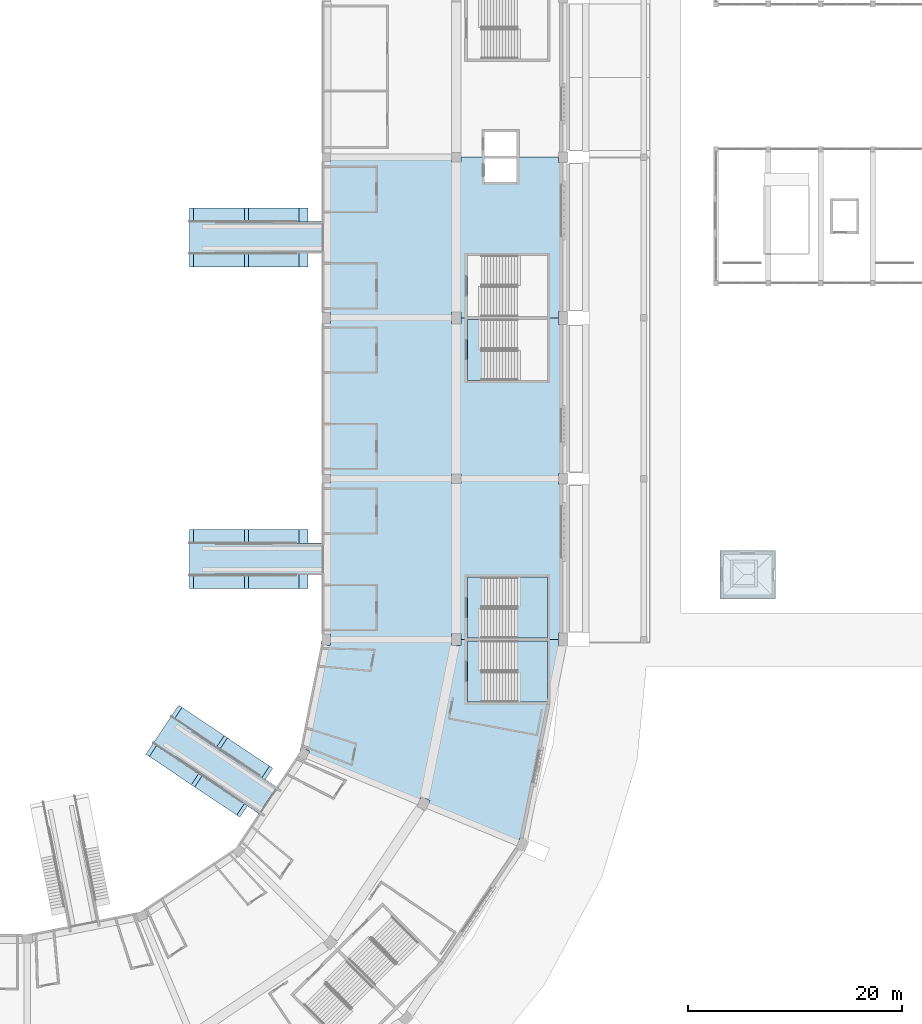
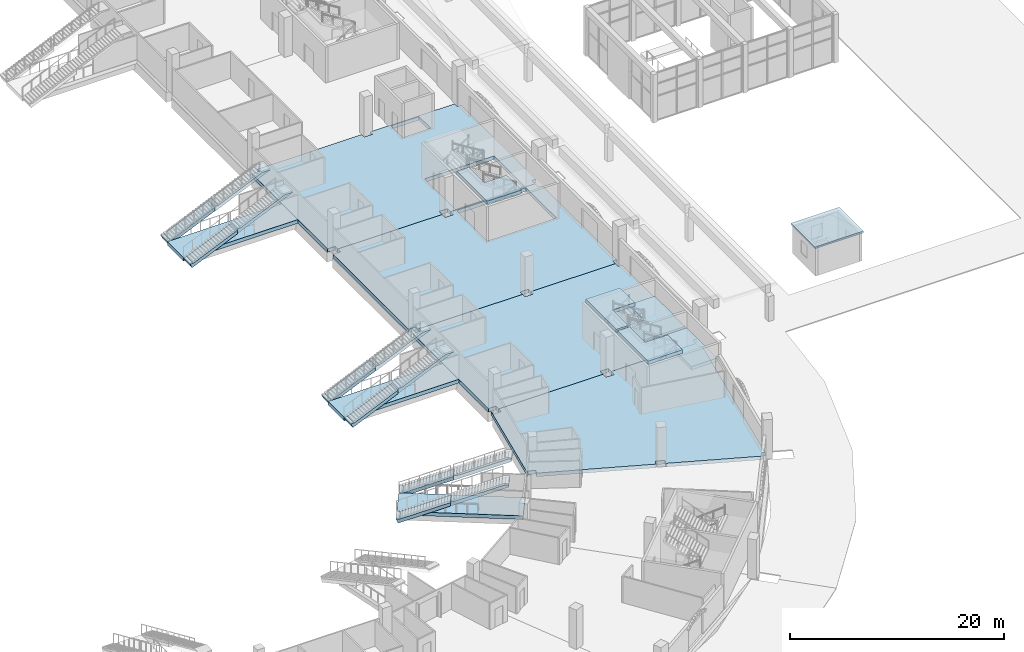
# One storey, part 17 of 175: 25 slabs, 3 elements without a shape of their own.
"""IFC4 building model written with IfcOpenShell, lengths in metres."""

from ifc_helpers import new_model, si_unit, direction, frame, origin, place, context, subcontext, project, spatial, polyline, outline, extrude, material, layer, layer_set, type_object, element, aggregate, save


model = new_model("IFC4")

# Units and contexts
model_context = context("Model", 3, precision=1e-05, world=origin(), true_north=direction((0.0, 1.0)))
body_context = subcontext(model_context, "Body", "Model", "MODEL_VIEW")
ifc_project = project(units=[si_unit("LENGTHUNIT", "METRE"), si_unit("AREAUNIT", "SQUARE_METRE"), si_unit("VOLUMEUNIT", "CUBIC_METRE"), si_unit("PLANEANGLEUNIT", "RADIAN"), si_unit("MASSUNIT", "GRAM", prefix="KILO")], contexts=[model_context])

# Site, building, storey
site_placement = place(None, origin())
site = spatial("IfcSite", under=ifc_project, at=site_placement, CompositionType="ELEMENT")
building_placement = place(site_placement, origin())
building = spatial("IfcBuilding", under=site, at=building_placement, Name="Ogive Plaza Stadium", CompositionType="ELEMENT")
storey_placement = place(building_placement, origin())
storey = spatial("IfcBuildingStorey", under=building, at=storey_placement, Name="L00", CompositionType="ELEMENT", Elevation=0.0)

# Slabs
ifc_material_1 = material(Name="Concrete C40/50", Category="concrete")
ifc_layer_1 = layer(ifc_material_1, 0.52587890625)
ifc_layer_set_1 = layer_set([ifc_layer_1], Name="Concrete C40/50")
ifc_layer_2 = layer(ifc_material_1, 0.449951171875)
ifc_layer_set_2 = layer_set([ifc_layer_2], Name="Concrete C40/50")
slab_type_1 = type_object("IfcSlabType", Name="Aisle stair slab 1300", PredefinedType="USERDEFINED", material=ifc_layer_set_2)
slab_1_placement = place(storey_placement, frame((49.14990234375, -17.125244140625, 0.0), z_axis=(0.0, 0.0, 1.0), x_axis=(1.0, 0.0, 0.0)))
element("IfcSlab", 1, at=slab_1_placement, inside=storey, type_object=slab_type_1, material=ifc_layer_set_1, Name="Aisle stair SA05L slab 1", ObjectType="AISLE STAIR SLAB", PredefinedType="USERDEFINED", context=body_context, shape_type="SweptSolid", body=[
    extrude(outline(polyline([(0.0, 0.0), (0.37158203125, 0.0), (5.10009765625, 2.086181640625), (5.10009765625, 1.675048828125), (5.01220703125, 1.63623046875), (4.8623046875, 1.570068359375), (4.71240234375, 1.50390625), (4.562255859375, 1.437744140625), (4.412353515625, 1.37158203125), (4.26220703125, 1.305419921875), (4.1123046875, 1.2392578125), (3.96240234375, 1.173095703125), (3.812255859375, 1.10693359375), (3.662353515625, 1.040771484375), (3.51220703125, 0.974609375), (3.3623046875, 0.908447265625), (3.21240234375, 0.84228515625), (3.062255859375, 0.77587890625), (2.912353515625, 0.709716796875), (2.76220703125, 0.643798828125), (2.6123046875, 0.577392578125), (2.46240234375, 0.51123046875), (2.312255859375, 0.445068359375), (2.162353515625, 0.37890625), (2.01220703125, 0.312744140625), (1.8623046875, 0.24658203125), (1.71240234375, 0.180419921875), (1.562255859375, 0.1142578125), (1.412353515625, 0.048095703125), (1.26220703125, -0.01806640625), (1.1123046875, -0.084228515625), (0.96240234375, -0.150390625), (0.812255859375, -0.216552734375), (0.662353515625, -0.28271484375), (0.51220703125, -0.34912109375), (0.3623046875, -0.415283203125), (0.21240234375, -0.481201171875), (0.0, 0.0)])), frame((0.0, 0.624755859375, 0.0), z_axis=(0.0, -1.0, 0.0), x_axis=(1.0, 0.0, 0.0)), (0.0, 0.0, 1.0), 1.24951171875),
])
ifc_layer_3 = layer(ifc_material_1, 0.82373046875)
ifc_layer_set_3 = layer_set([ifc_layer_3], Name="Concrete C40/50")
slab_2_placement = place(storey_placement, frame((54.25, -17.10009765625, 0.0), z_axis=(0.0, 0.0, 1.0), x_axis=(1.0, 0.0, 0.0)))
element("IfcSlab", 2, at=slab_2_placement, inside=storey, type_object=slab_type_1, material=ifc_layer_set_3, Name="Aisle stair SA05L slab 2", ObjectType="AISLE STAIR SLAB", PredefinedType="USERDEFINED", context=body_context, shape_type="SweptSolid", body=[
    extrude(outline(polyline([(0.0, 2.25), (0.37158203125, 2.25), (5.10009765625, 4.336181640625), (5.949951171875, 4.336181640625), (5.949951171875, 4.300048828125), (5.85009765625, 4.255859375), (5.699951171875, 4.189697265625), (5.550048828125, 4.12353515625), (5.39990234375, 4.057373046875), (5.25, 3.9912109375), (5.10009765625, 3.925048828125), (4.949951171875, 3.85888671875), (4.800048828125, 3.79248046875), (4.64990234375, 3.7265625), (4.5, 3.660400390625), (4.35009765625, 3.593994140625), (4.199951171875, 3.52783203125), (4.050048828125, 3.4619140625), (3.89990234375, 3.3955078125), (3.75, 3.329345703125), (3.60009765625, 3.26318359375), (3.449951171875, 3.197021484375), (3.300048828125, 3.130859375), (3.14990234375, 3.064697265625), (3.0, 2.99853515625), (2.85009765625, 2.932373046875), (2.699951171875, 2.8662109375), (2.550048828125, 2.800048828125), (2.39990234375, 2.73388671875), (2.25, 2.66748046875), (2.10009765625, 2.6015625), (1.949951171875, 2.535400390625), (1.800048828125, 2.468994140625), (1.64990234375, 2.40283203125), (1.5, 2.3369140625), (1.35009765625, 2.2705078125), (1.199951171875, 2.204345703125), (1.050048828125, 2.13818359375), (0.89990234375, 2.072021484375), (0.75, 2.005859375), (0.60009765625, 1.939697265625), (0.449951171875, 1.87353515625), (0.300048828125, 1.807373046875), (0.14990234375, 1.7412109375), (0.0, 1.675048828125), (0.0, 2.25)])), frame((0.0, 0.64990234375, 0.0), z_axis=(0.0, -1.0, 0.0), x_axis=(1.0, 0.0, 0.0)), (0.0, 0.0, 1.0), 1.300048828125),
])
slab_3_placement = place(storey_placement, frame((49.14990234375, -12.874755859375, 0.0), z_axis=(0.0, 0.0, 1.0), x_axis=(1.0, 0.0, 0.0)))
element("IfcSlab", 3, at=slab_3_placement, inside=storey, type_object=slab_type_1, material=ifc_layer_set_1, Name="Aisle stair SA05R slab 1", ObjectType="AISLE STAIR SLAB", PredefinedType="USERDEFINED", context=body_context, shape_type="SweptSolid", body=[
    extrude(outline(polyline([(0.0, 0.0), (0.37158203125, 0.0), (5.10009765625, 2.086181640625), (5.10009765625, 1.675048828125), (5.01220703125, 1.63623046875), (4.8623046875, 1.570068359375), (4.71240234375, 1.50390625), (4.562255859375, 1.437744140625), (4.412353515625, 1.37158203125), (4.26220703125, 1.305419921875), (4.1123046875, 1.2392578125), (3.96240234375, 1.173095703125), (3.812255859375, 1.10693359375), (3.662353515625, 1.040771484375), (3.51220703125, 0.974609375), (3.3623046875, 0.908447265625), (3.21240234375, 0.84228515625), (3.062255859375, 0.77587890625), (2.912353515625, 0.709716796875), (2.76220703125, 0.643798828125), (2.6123046875, 0.577392578125), (2.46240234375, 0.51123046875), (2.312255859375, 0.445068359375), (2.162353515625, 0.37890625), (2.01220703125, 0.312744140625), (1.8623046875, 0.24658203125), (1.71240234375, 0.180419921875), (1.562255859375, 0.1142578125), (1.412353515625, 0.048095703125), (1.26220703125, -0.01806640625), (1.1123046875, -0.084228515625), (0.96240234375, -0.150390625), (0.812255859375, -0.216552734375), (0.662353515625, -0.28271484375), (0.51220703125, -0.34912109375), (0.3623046875, -0.415283203125), (0.21240234375, -0.481201171875), (0.0, 0.0)])), frame((0.0, 0.624755859375, 0.0), z_axis=(0.0, -1.0, 0.0), x_axis=(1.0, 0.0, 0.0)), (0.0, 0.0, 1.0), 1.24951171875),
])
slab_4_placement = place(storey_placement, frame((54.25, -12.89990234375, 0.0), z_axis=(0.0, 0.0, 1.0), x_axis=(1.0, 0.0, 0.0)))
element("IfcSlab", 4, at=slab_4_placement, inside=storey, type_object=slab_type_1, material=ifc_layer_set_3, Name="Aisle stair SA05R slab 2", ObjectType="AISLE STAIR SLAB", PredefinedType="USERDEFINED", context=body_context, shape_type="SweptSolid", body=[
    extrude(outline(polyline([(0.0, 2.25), (0.37158203125, 2.25), (5.10009765625, 4.336181640625), (5.949951171875, 4.336181640625), (5.949951171875, 4.300048828125), (5.85009765625, 4.255859375), (5.699951171875, 4.189697265625), (5.550048828125, 4.12353515625), (5.39990234375, 4.057373046875), (5.25, 3.9912109375), (5.10009765625, 3.925048828125), (4.949951171875, 3.85888671875), (4.800048828125, 3.79248046875), (4.64990234375, 3.7265625), (4.5, 3.660400390625), (4.35009765625, 3.593994140625), (4.199951171875, 3.52783203125), (4.050048828125, 3.4619140625), (3.89990234375, 3.3955078125), (3.75, 3.329345703125), (3.60009765625, 3.26318359375), (3.449951171875, 3.197021484375), (3.300048828125, 3.130859375), (3.14990234375, 3.064697265625), (3.0, 2.99853515625), (2.85009765625, 2.932373046875), (2.699951171875, 2.8662109375), (2.550048828125, 2.800048828125), (2.39990234375, 2.73388671875), (2.25, 2.66748046875), (2.10009765625, 2.6015625), (1.949951171875, 2.535400390625), (1.800048828125, 2.468994140625), (1.64990234375, 2.40283203125), (1.5, 2.3369140625), (1.35009765625, 2.2705078125), (1.199951171875, 2.204345703125), (1.050048828125, 2.13818359375), (0.89990234375, 2.072021484375), (0.75, 2.005859375), (0.60009765625, 1.939697265625), (0.449951171875, 1.87353515625), (0.300048828125, 1.807373046875), (0.14990234375, 1.7412109375), (0.0, 1.675048828125), (0.0, 2.25)])), frame((0.0, 0.64990234375, 0.0), z_axis=(0.0, -1.0, 0.0), x_axis=(1.0, 0.0, 0.0)), (0.0, 0.0, 1.0), 1.300048828125),
])
slab_5_placement = place(storey_placement, frame((49.14990234375, -47.125244140625, 0.0), z_axis=(0.0, 0.0, 1.0), x_axis=(1.0, 0.0, 0.0)))
element("IfcSlab", 5, at=slab_5_placement, inside=storey, type_object=slab_type_1, material=ifc_layer_set_1, Name="Aisle stair SA07L slab 1", ObjectType="AISLE STAIR SLAB", PredefinedType="USERDEFINED", context=body_context, shape_type="SweptSolid", body=[
    extrude(outline(polyline([(0.0, 0.0), (0.37158203125, 0.0), (5.10009765625, 2.086181640625), (5.10009765625, 1.675048828125), (5.01220703125, 1.63623046875), (4.8623046875, 1.570068359375), (4.71240234375, 1.50390625), (4.562255859375, 1.437744140625), (4.412353515625, 1.37158203125), (4.26220703125, 1.305419921875), (4.1123046875, 1.2392578125), (3.96240234375, 1.173095703125), (3.812255859375, 1.10693359375), (3.662353515625, 1.040771484375), (3.51220703125, 0.974609375), (3.3623046875, 0.908447265625), (3.21240234375, 0.84228515625), (3.062255859375, 0.77587890625), (2.912353515625, 0.709716796875), (2.76220703125, 0.643798828125), (2.6123046875, 0.577392578125), (2.46240234375, 0.51123046875), (2.312255859375, 0.445068359375), (2.162353515625, 0.37890625), (2.01220703125, 0.312744140625), (1.8623046875, 0.24658203125), (1.71240234375, 0.180419921875), (1.562255859375, 0.1142578125), (1.412353515625, 0.048095703125), (1.26220703125, -0.01806640625), (1.1123046875, -0.084228515625), (0.96240234375, -0.150390625), (0.812255859375, -0.216552734375), (0.662353515625, -0.28271484375), (0.51220703125, -0.34912109375), (0.3623046875, -0.415283203125), (0.21240234375, -0.481201171875), (0.0, 0.0)])), frame((0.0, 0.624755859375, 0.0), z_axis=(0.0, -1.0, 0.0), x_axis=(1.0, 0.0, 0.0)), (0.0, 0.0, 1.0), 1.24951171875),
])
slab_6_placement = place(storey_placement, frame((54.25, -47.10009765625, 0.0), z_axis=(0.0, 0.0, 1.0), x_axis=(1.0, 0.0, 0.0)))
element("IfcSlab", 6, at=slab_6_placement, inside=storey, type_object=slab_type_1, material=ifc_layer_set_3, Name="Aisle stair SA07L slab 2", ObjectType="AISLE STAIR SLAB", PredefinedType="USERDEFINED", context=body_context, shape_type="SweptSolid", body=[
    extrude(outline(polyline([(0.0, 2.25), (0.37158203125, 2.25), (5.10009765625, 4.336181640625), (5.949951171875, 4.336181640625), (5.949951171875, 4.300048828125), (5.85009765625, 4.255859375), (5.699951171875, 4.189697265625), (5.550048828125, 4.12353515625), (5.39990234375, 4.057373046875), (5.25, 3.9912109375), (5.10009765625, 3.925048828125), (4.949951171875, 3.85888671875), (4.800048828125, 3.79248046875), (4.64990234375, 3.7265625), (4.5, 3.660400390625), (4.35009765625, 3.593994140625), (4.199951171875, 3.52783203125), (4.050048828125, 3.4619140625), (3.89990234375, 3.3955078125), (3.75, 3.329345703125), (3.60009765625, 3.26318359375), (3.449951171875, 3.197021484375), (3.300048828125, 3.130859375), (3.14990234375, 3.064697265625), (3.0, 2.99853515625), (2.85009765625, 2.932373046875), (2.699951171875, 2.8662109375), (2.550048828125, 2.800048828125), (2.39990234375, 2.73388671875), (2.25, 2.66748046875), (2.10009765625, 2.6015625), (1.949951171875, 2.535400390625), (1.800048828125, 2.468994140625), (1.64990234375, 2.40283203125), (1.5, 2.3369140625), (1.35009765625, 2.2705078125), (1.199951171875, 2.204345703125), (1.050048828125, 2.13818359375), (0.89990234375, 2.072021484375), (0.75, 2.005859375), (0.60009765625, 1.939697265625), (0.449951171875, 1.87353515625), (0.300048828125, 1.807373046875), (0.14990234375, 1.7412109375), (0.0, 1.675048828125), (0.0, 2.25)])), frame((0.0, 0.64990234375, 0.0), z_axis=(0.0, -1.0, 0.0), x_axis=(1.0, 0.0, 0.0)), (0.0, 0.0, 1.0), 1.300048828125),
])
slab_7_placement = place(storey_placement, frame((49.14990234375, -42.874755859375, 0.0), z_axis=(0.0, 0.0, 1.0), x_axis=(1.0, 0.0, 0.0)))
element("IfcSlab", 7, at=slab_7_placement, inside=storey, type_object=slab_type_1, material=ifc_layer_set_1, Name="Aisle stair SA07R slab 1", ObjectType="AISLE STAIR SLAB", PredefinedType="USERDEFINED", context=body_context, shape_type="SweptSolid", body=[
    extrude(outline(polyline([(0.0, 0.0), (0.37158203125, 0.0), (5.10009765625, 2.086181640625), (5.10009765625, 1.675048828125), (5.01220703125, 1.63623046875), (4.8623046875, 1.570068359375), (4.71240234375, 1.50390625), (4.562255859375, 1.437744140625), (4.412353515625, 1.37158203125), (4.26220703125, 1.305419921875), (4.1123046875, 1.2392578125), (3.96240234375, 1.173095703125), (3.812255859375, 1.10693359375), (3.662353515625, 1.040771484375), (3.51220703125, 0.974609375), (3.3623046875, 0.908447265625), (3.21240234375, 0.84228515625), (3.062255859375, 0.77587890625), (2.912353515625, 0.709716796875), (2.76220703125, 0.643798828125), (2.6123046875, 0.577392578125), (2.46240234375, 0.51123046875), (2.312255859375, 0.445068359375), (2.162353515625, 0.37890625), (2.01220703125, 0.312744140625), (1.8623046875, 0.24658203125), (1.71240234375, 0.180419921875), (1.562255859375, 0.1142578125), (1.412353515625, 0.048095703125), (1.26220703125, -0.01806640625), (1.1123046875, -0.084228515625), (0.96240234375, -0.150390625), (0.812255859375, -0.216552734375), (0.662353515625, -0.28271484375), (0.51220703125, -0.34912109375), (0.3623046875, -0.415283203125), (0.21240234375, -0.481201171875), (0.0, 0.0)])), frame((0.0, 0.624755859375, 0.0), z_axis=(0.0, -1.0, 0.0), x_axis=(1.0, 0.0, 0.0)), (0.0, 0.0, 1.0), 1.24951171875),
])
slab_8_placement = place(storey_placement, frame((54.25, -42.89990234375, 0.0), z_axis=(0.0, 0.0, 1.0), x_axis=(1.0, 0.0, 0.0)))
element("IfcSlab", 8, at=slab_8_placement, inside=storey, type_object=slab_type_1, material=ifc_layer_set_3, Name="Aisle stair SA07R slab 2", ObjectType="AISLE STAIR SLAB", PredefinedType="USERDEFINED", context=body_context, shape_type="SweptSolid", body=[
    extrude(outline(polyline([(0.0, 2.25), (0.37158203125, 2.25), (5.10009765625, 4.336181640625), (5.949951171875, 4.336181640625), (5.949951171875, 4.300048828125), (5.85009765625, 4.255859375), (5.699951171875, 4.189697265625), (5.550048828125, 4.12353515625), (5.39990234375, 4.057373046875), (5.25, 3.9912109375), (5.10009765625, 3.925048828125), (4.949951171875, 3.85888671875), (4.800048828125, 3.79248046875), (4.64990234375, 3.7265625), (4.5, 3.660400390625), (4.35009765625, 3.593994140625), (4.199951171875, 3.52783203125), (4.050048828125, 3.4619140625), (3.89990234375, 3.3955078125), (3.75, 3.329345703125), (3.60009765625, 3.26318359375), (3.449951171875, 3.197021484375), (3.300048828125, 3.130859375), (3.14990234375, 3.064697265625), (3.0, 2.99853515625), (2.85009765625, 2.932373046875), (2.699951171875, 2.8662109375), (2.550048828125, 2.800048828125), (2.39990234375, 2.73388671875), (2.25, 2.66748046875), (2.10009765625, 2.6015625), (1.949951171875, 2.535400390625), (1.800048828125, 2.468994140625), (1.64990234375, 2.40283203125), (1.5, 2.3369140625), (1.35009765625, 2.2705078125), (1.199951171875, 2.204345703125), (1.050048828125, 2.13818359375), (0.89990234375, 2.072021484375), (0.75, 2.005859375), (0.60009765625, 1.939697265625), (0.449951171875, 1.87353515625), (0.300048828125, 1.807373046875), (0.14990234375, 1.7412109375), (0.0, 1.675048828125), (0.0, 2.25)])), frame((0.0, 0.64990234375, 0.0), z_axis=(0.0, -1.0, 0.0), x_axis=(1.0, 0.0, 0.0)), (0.0, 0.0, 1.0), 1.300048828125),
])
slab_9_placement = place(storey_placement, frame((45.416015625, -62.68408203125, 0.0), z_axis=(0.0, 0.0, 1.0), x_axis=(0.831469612303, -0.55557023302, 0.0)))
element("IfcSlab", 9, at=slab_9_placement, inside=storey, type_object=slab_type_1, material=ifc_layer_set_1, Name="Aisle stair SA09L slab 1", ObjectType="AISLE STAIR SLAB", PredefinedType="USERDEFINED", context=body_context, shape_type="SweptSolid", body=[
    extrude(outline(polyline([(0.0, 0.0), (0.37158203125, 0.0), (5.10009765625, 2.086181640625), (5.10009765625, 1.675048828125), (5.01220703125, 1.63623046875), (4.8623046875, 1.570068359375), (4.71240234375, 1.50390625), (4.562255859375, 1.437744140625), (4.412353515625, 1.37158203125), (4.26220703125, 1.305419921875), (4.1123046875, 1.2392578125), (3.96240234375, 1.173095703125), (3.812255859375, 1.10693359375), (3.662353515625, 1.040771484375), (3.51220703125, 0.974609375), (3.3623046875, 0.908447265625), (3.21240234375, 0.84228515625), (3.062255859375, 0.77587890625), (2.912353515625, 0.709716796875), (2.76220703125, 0.643798828125), (2.6123046875, 0.577392578125), (2.46240234375, 0.51123046875), (2.312255859375, 0.445068359375), (2.162353515625, 0.37890625), (2.01220703125, 0.312744140625), (1.8623046875, 0.24658203125), (1.71240234375, 0.180419921875), (1.562255859375, 0.1142578125), (1.412353515625, 0.048095703125), (1.26220703125, -0.01806640625), (1.1123046875, -0.084228515625), (0.96240234375, -0.150390625), (0.812255859375, -0.216552734375), (0.662353515625, -0.28271484375), (0.51220703125, -0.34912109375), (0.3623046875, -0.415283203125), (0.21240234375, -0.481201171875), (0.0, 0.0)])), frame((0.0, 0.624755859375, 0.0), z_axis=(0.0, -1.0, 0.0), x_axis=(1.0, 0.0, 0.0)), (0.0, 0.0, 1.0), 1.24951171875),
])
ifc_layer_4 = layer(ifc_material_1, 0.660888671875)
ifc_layer_set_4 = layer_set([ifc_layer_4], Name="Concrete C40/50")
slab_10_placement = place(storey_placement, frame((49.670654296875, -65.496337890625, 0.0), z_axis=(0.0, 0.0, 1.0), x_axis=(0.831469612303, -0.55557023302, 0.0)))
element("IfcSlab", 10, at=slab_10_placement, inside=storey, type_object=slab_type_1, material=ifc_layer_set_4, Name="Aisle stair SA09L slab 2", ObjectType="AISLE STAIR SLAB", PredefinedType="USERDEFINED", context=body_context, shape_type="SweptSolid", body=[
    extrude(outline(polyline([(0.0, 2.25), (0.37158203125, 2.25), (5.10009765625, 4.336181640625), (5.446533203125, 4.336181640625), (5.446533203125, 4.077880859375), (5.39990234375, 4.057373046875), (5.25, 3.9912109375), (5.10009765625, 3.925048828125), (4.949951171875, 3.85888671875), (4.800048828125, 3.79248046875), (4.64990234375, 3.7265625), (4.5, 3.660400390625), (4.35009765625, 3.593994140625), (4.199951171875, 3.52783203125), (4.050048828125, 3.4619140625), (3.89990234375, 3.3955078125), (3.75, 3.329345703125), (3.60009765625, 3.26318359375), (3.449951171875, 3.197021484375), (3.300048828125, 3.130859375), (3.14990234375, 3.064697265625), (3.0, 2.99853515625), (2.85009765625, 2.932373046875), (2.699951171875, 2.8662109375), (2.550048828125, 2.800048828125), (2.39990234375, 2.73388671875), (2.25, 2.66748046875), (2.10009765625, 2.6015625), (1.949951171875, 2.535400390625), (1.800048828125, 2.468994140625), (1.64990234375, 2.40283203125), (1.5, 2.3369140625), (1.35009765625, 2.2705078125), (1.199951171875, 2.204345703125), (1.050048828125, 2.13818359375), (0.89990234375, 2.072021484375), (0.75, 2.005859375), (0.60009765625, 1.939697265625), (0.449951171875, 1.87353515625), (0.300048828125, 1.807373046875), (0.14990234375, 1.7412109375), (0.0, 1.675048828125), (0.0, 2.25)])), frame((0.0, 0.64990234375, 0.0), z_axis=(0.0, -1.0, 0.0), x_axis=(1.0, 0.0, 0.0)), (0.0, 0.0, 1.0), 1.300048828125),
])
slab_11_placement = place(storey_placement, frame((47.777587890625, -59.14990234375, 0.0), z_axis=(0.0, 0.0, 1.0), x_axis=(0.831469612303, -0.55557023302, 0.0)))
element("IfcSlab", 11, at=slab_11_placement, inside=storey, type_object=slab_type_1, material=ifc_layer_set_1, Name="Aisle stair SA09R slab 1", ObjectType="AISLE STAIR SLAB", PredefinedType="USERDEFINED", context=body_context, shape_type="SweptSolid", body=[
    extrude(outline(polyline([(0.0, 0.0), (0.37158203125, 0.0), (5.10009765625, 2.086181640625), (5.10009765625, 1.675048828125), (5.01220703125, 1.63623046875), (4.8623046875, 1.570068359375), (4.71240234375, 1.50390625), (4.562255859375, 1.437744140625), (4.412353515625, 1.37158203125), (4.26220703125, 1.305419921875), (4.1123046875, 1.2392578125), (3.96240234375, 1.173095703125), (3.812255859375, 1.10693359375), (3.662353515625, 1.040771484375), (3.51220703125, 0.974609375), (3.3623046875, 0.908447265625), (3.21240234375, 0.84228515625), (3.062255859375, 0.77587890625), (2.912353515625, 0.709716796875), (2.76220703125, 0.643798828125), (2.6123046875, 0.577392578125), (2.46240234375, 0.51123046875), (2.312255859375, 0.445068359375), (2.162353515625, 0.37890625), (2.01220703125, 0.312744140625), (1.8623046875, 0.24658203125), (1.71240234375, 0.180419921875), (1.562255859375, 0.1142578125), (1.412353515625, 0.048095703125), (1.26220703125, -0.01806640625), (1.1123046875, -0.084228515625), (0.96240234375, -0.150390625), (0.812255859375, -0.216552734375), (0.662353515625, -0.28271484375), (0.51220703125, -0.34912109375), (0.3623046875, -0.415283203125), (0.21240234375, -0.481201171875), (0.0, 0.0)])), frame((0.0, 0.624755859375, 0.0), z_axis=(0.0, -1.0, 0.0), x_axis=(1.0, 0.0, 0.0)), (0.0, 0.0, 1.0), 1.24951171875),
])
slab_12_placement = place(storey_placement, frame((52.00390625, -62.004150390625, 0.0), z_axis=(0.0, 0.0, 1.0), x_axis=(0.831469612303, -0.55557023302, 0.0)))
element("IfcSlab", 12, at=slab_12_placement, inside=storey, type_object=slab_type_1, material=ifc_layer_set_4, Name="Aisle stair SA09R slab 2", ObjectType="AISLE STAIR SLAB", PredefinedType="USERDEFINED", context=body_context, shape_type="SweptSolid", body=[
    extrude(outline(polyline([(0.0, 2.25), (0.37158203125, 2.25), (5.10009765625, 4.336181640625), (5.446533203125, 4.336181640625), (5.446533203125, 4.077880859375), (5.39990234375, 4.057373046875), (5.25, 3.9912109375), (5.10009765625, 3.925048828125), (4.949951171875, 3.85888671875), (4.800048828125, 3.79248046875), (4.64990234375, 3.7265625), (4.5, 3.660400390625), (4.35009765625, 3.593994140625), (4.199951171875, 3.52783203125), (4.050048828125, 3.4619140625), (3.89990234375, 3.3955078125), (3.75, 3.329345703125), (3.60009765625, 3.26318359375), (3.449951171875, 3.197021484375), (3.300048828125, 3.130859375), (3.14990234375, 3.064697265625), (3.0, 2.99853515625), (2.85009765625, 2.932373046875), (2.699951171875, 2.8662109375), (2.550048828125, 2.800048828125), (2.39990234375, 2.73388671875), (2.25, 2.66748046875), (2.10009765625, 2.6015625), (1.949951171875, 2.535400390625), (1.800048828125, 2.468994140625), (1.64990234375, 2.40283203125), (1.5, 2.3369140625), (1.35009765625, 2.2705078125), (1.199951171875, 2.204345703125), (1.050048828125, 2.13818359375), (0.89990234375, 2.072021484375), (0.75, 2.005859375), (0.60009765625, 1.939697265625), (0.449951171875, 1.87353515625), (0.300048828125, 1.807373046875), (0.14990234375, 1.7412109375), (0.0, 1.675048828125), (0.0, 2.25)])), frame((0.0, 0.64990234375, 0.0), z_axis=(0.0, -1.0, 0.0), x_axis=(1.0, 0.0, 0.0)), (0.0, 0.0, 1.0), 1.300048828125),
])
ifc_material_2 = material(Name="Concrete C40/50", Category="concrete")
ifc_layer_5 = layer(ifc_material_2, 0.199951171875)
ifc_layer_set_5 = layer_set([ifc_layer_5], Name="Concrete C40/50")
slab_type_2 = type_object("IfcSlabType", Name="Kiosk roof slab 200", PredefinedType="ROOF", material=ifc_layer_set_5)
slab_13_placement = place(storey_placement, frame((0.0, 0.0, 3.199951171875)))
element("IfcSlab", 13, at=slab_13_placement, inside=storey, type_object=slab_type_2, Name="Kiosk 1 roof", PredefinedType="ROOF", context=body_context, shape_type="SweptSolid", body=[
    extrude(outline(polyline([(98.60009765625, -48.699951171875), (103.800048828125, -48.699951171875), (103.800048828125, -44.199951171875), (98.60009765625, -44.199951171875), (98.60009765625, -48.699951171875)])), origin(), (0.0, 0.0, 1.0), 0.199951171875),
])
ifc_material_3 = material(Name="Concrete C40/50", Category="concrete")
ifc_layer_6 = layer(ifc_material_3, 0.409912109375)
ifc_layer_set_6 = layer_set([ifc_layer_6], Name="Concrete C40/50")
slab_type_3 = type_object("IfcSlabType", Name="RC floor slab 410", PredefinedType="FLOOR", material=ifc_layer_set_6)
slab_14_placement = place(storey_placement, frame((0.0, 0.0, -0.409912109375)))
element("IfcSlab", 14, at=slab_14_placement, inside=storey, type_object=slab_type_3, Name="Floor slab L00 B05", PredefinedType="FLOOR", context=body_context, shape_type="SweptSolid", body=[
    extrude(outline(polyline([(73.550048828125, -22.5), (73.550048828125, -21.949951171875), (74.449951171875, -21.949951171875), (74.449951171875, -22.5), (83.550048828125, -22.5), (83.550048828125, -21.89990234375), (84.0, -21.89990234375), (84.0, -8.0), (83.550048828125, -8.0), (83.550048828125, -7.5), (74.449951171875, -7.5), (74.449951171875, -7.949951171875), (73.550048828125, -7.949951171875), (73.550048828125, -7.5), (62.300048828125, -7.5), (62.300048828125, -7.89990234375), (61.5, -7.89990234375), (61.5, -22.0), (62.300048828125, -22.0), (62.300048828125, -22.5), (73.550048828125, -22.5)]), holes=[polyline([(75.050048828125, -16.675048828125), (75.050048828125, -22.375), (82.510009765625, -22.375), (82.510009765625, -16.675048828125), (75.050048828125, -16.675048828125)]), polyline([(76.64990234375, -7.625), (76.64990234375, -9.824951171875), (79.64990234375, -9.824951171875), (79.64990234375, -7.625), (76.64990234375, -7.625)])]), origin(), (0.0, 0.0, 1.0), 0.409912109375),
])
slab_15_placement = place(storey_placement, frame((0.0, 0.0, -0.409912109375)))
element("IfcSlab", 15, at=slab_15_placement, inside=storey, type_object=slab_type_3, Name="Floor slab L00 B06", PredefinedType="FLOOR", context=body_context, shape_type="SweptSolid", body=[
    extrude(outline(polyline([(73.550048828125, -37.5), (73.550048828125, -37.050048828125), (74.449951171875, -37.050048828125), (74.449951171875, -37.5), (83.550048828125, -37.5), (83.550048828125, -37.0), (84.0, -37.0), (84.0, -23.10009765625), (83.550048828125, -23.10009765625), (83.550048828125, -22.5), (74.449951171875, -22.5), (74.449951171875, -23.050048828125), (73.550048828125, -23.050048828125), (73.550048828125, -22.5), (62.300048828125, -22.5), (62.300048828125, -23.0), (61.5, -23.0), (61.5, -37.10009765625), (62.300048828125, -37.10009765625), (62.300048828125, -37.5), (73.550048828125, -37.5)]), holes=[polyline([(75.050048828125, -28.324951171875), (82.510009765625, -28.324951171875), (82.510009765625, -22.625), (75.050048828125, -22.625), (75.050048828125, -28.324951171875)])]), origin(), (0.0, 0.0, 1.0), 0.409912109375),
])
slab_16_placement = place(storey_placement, frame((0.0, 0.0, -0.409912109375)))
element("IfcSlab", 16, at=slab_16_placement, inside=storey, type_object=slab_type_3, Name="Floor slab L00 B07", PredefinedType="FLOOR", context=body_context, shape_type="SweptSolid", body=[
    extrude(outline(polyline([(73.550048828125, -52.5), (73.550048828125, -51.949951171875), (74.449951171875, -51.949951171875), (74.449951171875, -52.5), (83.550048828125, -52.5), (83.550048828125, -51.89990234375), (84.0, -51.89990234375), (84.0, -38.0), (83.550048828125, -38.0), (83.550048828125, -37.5), (74.449951171875, -37.5), (74.449951171875, -37.949951171875), (73.550048828125, -37.949951171875), (73.550048828125, -37.5), (62.300048828125, -37.5), (62.300048828125, -37.89990234375), (61.5, -37.89990234375), (61.5, -52.0), (62.300048828125, -52.0), (62.300048828125, -52.5), (73.550048828125, -52.5)])), origin(), (0.0, 0.0, 1.0), 0.409912109375),
])
slab_17_placement = place(storey_placement, frame((0.0, 0.0, -0.409912109375)))
element("IfcSlab", 17, at=slab_17_placement, inside=storey, type_object=slab_type_3, Name="Floor slab L00 B08", PredefinedType="FLOOR", context=body_context, shape_type="SweptSolid", body=[
    extrude(outline(polyline([(70.53955078125, -67.635009765625), (70.730712890625, -67.173095703125), (71.562255859375, -67.517578125), (71.370849609375, -67.9794921875), (79.7783203125, -71.4619140625), (79.98876953125, -70.953857421875), (80.303466796875, -71.084228515625), (83.880615234375, -53.10009765625), (83.550048828125, -53.10009765625), (83.550048828125, -52.5), (74.449951171875, -52.5), (74.449951171875, -53.050048828125), (73.550048828125, -53.050048828125), (73.550048828125, -52.5), (62.300048828125, -52.5), (62.300048828125, -53.0), (61.5, -53.0), (61.5, -52.5), (59.40673828125, -63.023681640625), (59.578857421875, -62.608154296875), (60.318115234375, -62.914306640625), (60.145751953125, -63.329833984375), (70.53955078125, -67.635009765625)])), origin(), (0.0, 0.0, 1.0), 0.409912109375),
])

# Stair, slab
ifc_material_4 = material(Name="Concrete C40/50", Category="concrete")
stair_type = type_object("IfcStairType", Name="Exit stair", PredefinedType="STRAIGHT_RUN_STAIR", material=ifc_material_4)
stair_1_placement = place(storey_placement, origin())
stair_1 = element("IfcStair", 18, at=stair_1_placement, inside=storey, type_object=stair_type, Name="Exit stair ST06A L00 to L01", PredefinedType="STRAIGHT_RUN_STAIR")
ifc_material_5 = material(Name="Concrete C40/50", Category="concrete")
ifc_layer_7 = layer(ifc_material_5, 0.39990234375)
ifc_layer_set_7 = layer_set([ifc_layer_7], Name="Concrete C40/50")
slab_type_4 = type_object("IfcSlabType", Name="Stair landing", PredefinedType="LANDING", material=ifc_layer_set_7)
slab_18_placement = place(storey_placement, frame((0.0, 0.0, 4.10009765625)))
slab_18 = element("IfcSlab", 19, at=slab_18_placement, type_object=slab_type_4, Name="ST06A landing 2", PredefinedType="LANDING", context=body_context, shape_type="SweptSolid", body=[
    extrude(outline(polyline([(78.75, -25.52490234375), (78.75, -28.324951171875), (76.35009765625, -28.324951171875), (75.050048828125, -28.324951171875), (75.050048828125, -22.625), (76.35009765625, -22.625), (76.35009765625, -25.52490234375), (78.75, -25.52490234375)])), origin(), (0.0, 0.0, 1.0), 0.39990234375),
])
aggregate(stair_1, [slab_18])

# Stair, slabs
stair_2_placement = place(storey_placement, origin())
stair_2 = element("IfcStair", 20, at=stair_2_placement, inside=storey, type_object=stair_type, Name="Exit stair ST08A L00 to L01", PredefinedType="STRAIGHT_RUN_STAIR")
slab_19_placement = place(storey_placement, frame((0.0, 0.0, 1.85009765625)))
slab_19 = element("IfcSlab", 21, at=slab_19_placement, type_object=slab_type_4, Name="ST08A landing 1", PredefinedType="LANDING", context=body_context, shape_type="SweptSolid", body=[
    extrude(outline(polyline([(82.510009765625, -52.625), (82.510009765625, -58.324951171875), (79.7099609375, -58.324951171875), (79.7099609375, -55.425048828125), (77.31005859375, -55.425048828125), (77.31005859375, -52.625), (79.7099609375, -52.625), (82.510009765625, -52.625)])), origin(), (0.0, 0.0, 1.0), 0.39990234375),
])
slab_20_placement = place(storey_placement, frame((0.0, 0.0, 4.10009765625)))
slab_20 = element("IfcSlab", 22, at=slab_20_placement, type_object=slab_type_4, Name="ST08A landing 2", PredefinedType="LANDING", context=body_context, shape_type="SweptSolid", body=[
    extrude(outline(polyline([(78.75, -55.52490234375), (78.75, -58.324951171875), (76.35009765625, -58.324951171875), (75.050048828125, -58.324951171875), (75.050048828125, -52.625), (76.35009765625, -52.625), (76.35009765625, -55.52490234375), (78.75, -55.52490234375)])), origin(), (0.0, 0.0, 1.0), 0.39990234375),
])
aggregate(stair_2, [slab_19, slab_20])

stair_3_placement = place(storey_placement, origin())
stair_3 = element("IfcStair", 23, at=stair_3_placement, inside=storey, type_object=stair_type, Name="Exit stair ST08B L00 to L01", PredefinedType="STRAIGHT_RUN_STAIR")
slab_21_placement = place(storey_placement, frame((0.0, 0.0, 1.85009765625)))
slab_21 = element("IfcSlab", 24, at=slab_21_placement, type_object=slab_type_4, Name="ST08B landing 1", PredefinedType="LANDING", context=body_context, shape_type="SweptSolid", body=[
    extrude(outline(polyline([(77.31005859375, -52.375), (77.31005859375, -49.574951171875), (79.7099609375, -49.574951171875), (79.7099609375, -46.675048828125), (82.510009765625, -46.675048828125), (82.510009765625, -52.375), (79.7099609375, -52.375), (77.31005859375, -52.375)])), origin(), (0.0, 0.0, 1.0), 0.39990234375),
])
slab_22_placement = place(storey_placement, frame((0.0, 0.0, 4.10009765625)))
slab_22 = element("IfcSlab", 25, at=slab_22_placement, type_object=slab_type_4, Name="ST08B landing 2", PredefinedType="LANDING", context=body_context, shape_type="SweptSolid", body=[
    extrude(outline(polyline([(76.35009765625, -52.375), (75.050048828125, -52.375), (75.050048828125, -46.675048828125), (76.35009765625, -46.675048828125), (78.75, -46.675048828125), (78.75, -49.47509765625), (76.35009765625, -49.47509765625), (76.35009765625, -52.375)])), origin(), (0.0, 0.0, 1.0), 0.39990234375),
])
aggregate(stair_3, [slab_21, slab_22])

# Slabs
ifc_material_6 = material(Name="Concrete C40/50", Category="concrete")
ifc_layer_8 = layer(ifc_material_6, 0.409912109375)
ifc_layer_set_8 = layer_set([ifc_layer_8], Name="Concrete C40/50")
slab_type_5 = type_object("IfcSlabType", Name="Vomitory floor slab 410", PredefinedType="FLOOR", material=ifc_layer_set_8)
slab_23_placement = place(storey_placement, frame((0.0, 0.0, -0.409912109375)))
element("IfcSlab", 26, at=slab_23_placement, inside=storey, type_object=slab_type_5, Name="Vomitory floor B05", PredefinedType="FLOOR", context=body_context, shape_type="SweptSolid", body=[
    extrude(outline(polyline([(49.14990234375, -16.5), (49.14990234375, -13.5), (61.5, -13.5), (61.5, -16.5), (49.14990234375, -16.5)])), origin(), (0.0, 0.0, 1.0), 0.409912109375),
])
slab_24_placement = place(storey_placement, frame((0.0, 0.0, -0.409912109375)))
element("IfcSlab", 27, at=slab_24_placement, inside=storey, type_object=slab_type_5, Name="Vomitory floor B07", PredefinedType="FLOOR", context=body_context, shape_type="SweptSolid", body=[
    extrude(outline(polyline([(49.14990234375, -46.5), (49.14990234375, -43.5), (61.5, -43.5), (61.5, -46.5), (49.14990234375, -46.5)])), origin(), (0.0, 0.0, 1.0), 0.409912109375),
])
slab_25_placement = place(storey_placement, frame((0.0, 0.0, -0.409912109375)))
element("IfcSlab", 28, at=slab_25_placement, inside=storey, type_object=slab_type_5, Name="Vomitory floor B09", PredefinedType="FLOOR", context=body_context, shape_type="SweptSolid", body=[
    extrude(outline(polyline([(45.763427734375, -62.1640625), (47.43017578125, -59.669677734375), (57.259521484375, -66.2373046875), (55.5927734375, -68.73193359375), (45.763427734375, -62.1640625)])), origin(), (0.0, 0.0, 1.0), 0.409912109375),
])

save(model, "model.ifc")
